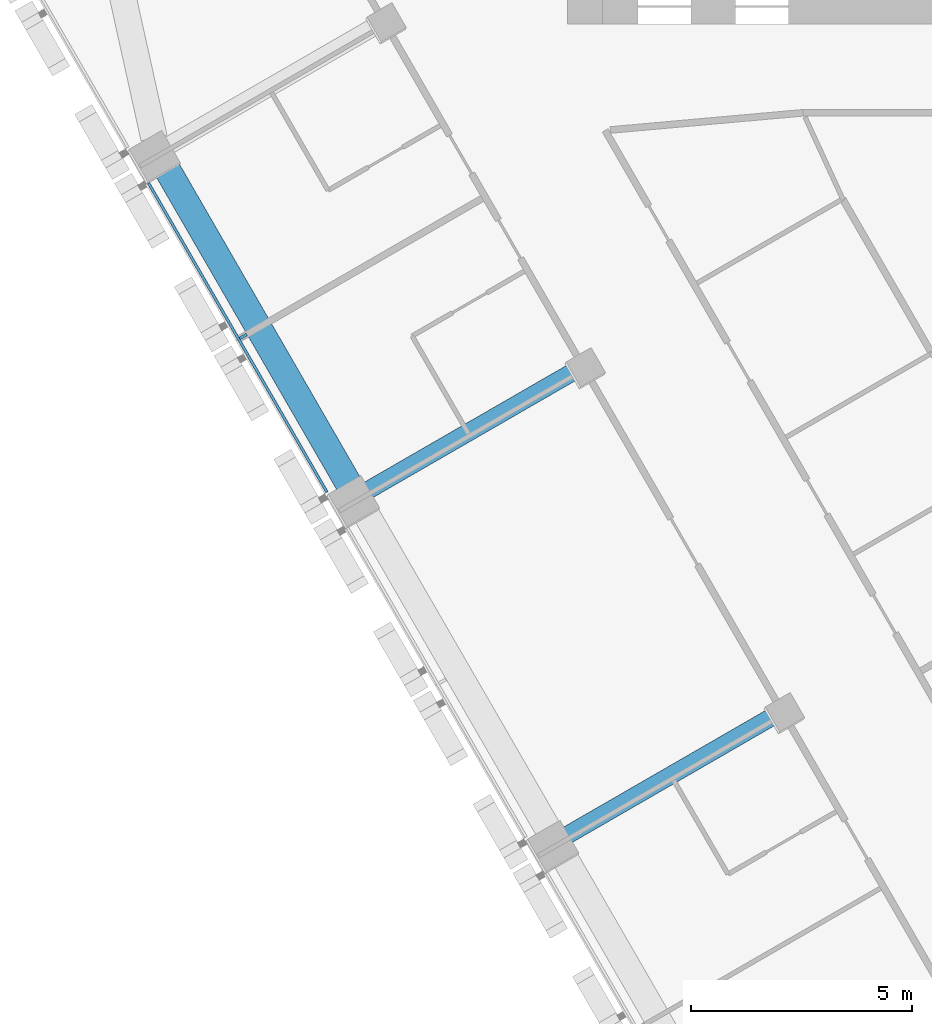
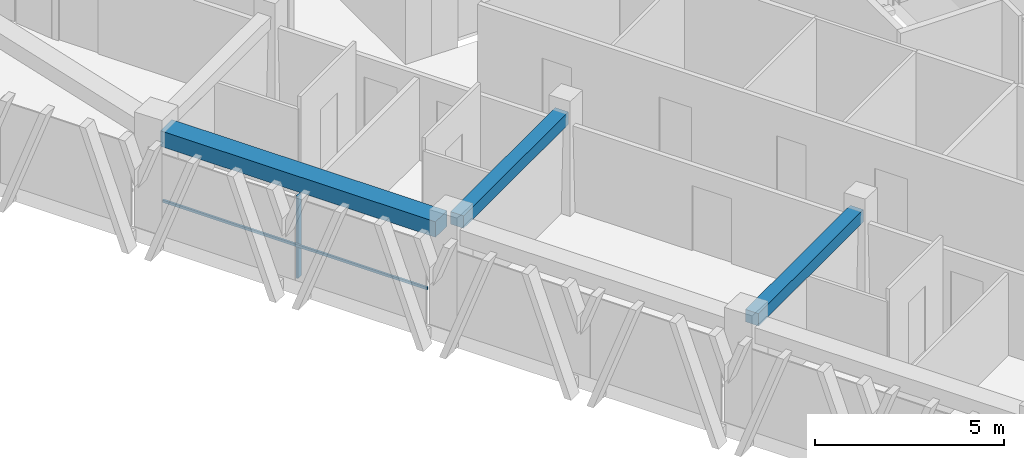
# One storey, part 3 of 16: 3 beams, 2 members, 1 element without a shape of its own.
"""IFC4 building model written with IfcOpenShell, lengths in metres."""

from ifc_helpers import new_model, si_unit, direction, frame, origin, origin_2d, place, context, subcontext, project, spatial, rectangle, extrude, material, layer, layer_set, material_profile, profile_set, type_object, element, aggregate, save


model = new_model("IFC4")

# Units and contexts
model_context = context("Model", 3, precision=1e-05, world=origin(), true_north=direction((0.0, 1.0)))
body_context = subcontext(model_context, "Body", "Model", "MODEL_VIEW")
ifc_project = project(units=[si_unit("LENGTHUNIT", "METRE"), si_unit("AREAUNIT", "SQUARE_METRE"), si_unit("VOLUMEUNIT", "CUBIC_METRE"), si_unit("PLANEANGLEUNIT", "RADIAN"), si_unit("MASSUNIT", "GRAM", prefix="KILO")], contexts=[model_context])

# Site, building, storey
site_placement = place(None, origin())
site = spatial("IfcSite", under=ifc_project, at=site_placement, CompositionType="ELEMENT")
building_placement = place(site_placement, origin())
building = spatial("IfcBuilding", under=site, at=building_placement, Name="Altiplano Prism Tower", CompositionType="ELEMENT")
storey_placement = place(building_placement, frame((0.0, 0.0, 135.0)))
storey = spatial("IfcBuildingStorey", under=building, at=storey_placement, Name="L34", CompositionType="ELEMENT", Elevation=135.0)

# Curtain wall, members
ifc_material_1 = material(Name="Aluminium and glass", Category="aluminium")
ifc_layer = layer(ifc_material_1, 0.280029296875)
ifc_layer_set = layer_set([ifc_layer], Name="Aluminium and glass")
curtain_wall_type = type_object("IfcCurtainWallType", Name="CW1 typical co-living unitised curtain wall", PredefinedType="NOTDEFINED", material=ifc_layer_set)
curtain_wall_placement = place(storey_placement, origin())
curtain_wall = element("IfcCurtainWall", 1, at=curtain_wall_placement, inside=storey, type_object=curtain_wall_type, Name="CW1 curtain wall south-west face L34", PredefinedType="NOTDEFINED")
ifc_material_2 = material(Name="Aluminium", Category="aluminium")
ifc_material_profile_1 = material_profile(ifc_material_2, rectangle(XDim=0.179931640625, YDim=0.06494140625, at=origin_2d()), Name="CW1 mullion 65 x 180")
ifc_profile_set_1 = profile_set([ifc_material_profile_1], Name="Aluminium")
member_type_1 = type_object("IfcMemberType", Name="CW1 mullion 65 x 180", PredefinedType="MULLION", material=ifc_profile_set_1)
member_1_placement = place(storey_placement, frame((64.877685546875, 85.545654296875, 0.0), z_axis=(0.0, 0.0, 1.0), x_axis=(0.866025401489, 0.500000003975, 0.0)))
member_1 = element("IfcMember", 2, at=member_1_placement, type_object=member_type_1, Name="CW1 mullion", PredefinedType="MULLION", context=body_context, shape_type="SweptSolid", body=[
    extrude(rectangle(XDim=0.179931640625, YDim=0.06494140625, at=origin_2d()), origin(), (0.0, 0.0, 1.0), 2.64990234375),
])
ifc_material_profile_2 = material_profile(ifc_material_2, rectangle(XDim=0.06005859375, YDim=0.080078125, at=origin_2d()), Name="CW1 transom 80 x 60")
ifc_profile_set_2 = profile_set([ifc_material_profile_2], Name="Aluminium")
member_type_2 = type_object("IfcMemberType", Name="CW1 transom 80 x 60", PredefinedType="USERDEFINED", material=ifc_profile_set_2)
member_2_placement = place(storey_placement, frame((62.736572265625, 89.01416015625, 1.10009765625), z_axis=(0.499994808408, -0.866028401131, 0.0), x_axis=(0.866028401131, 0.499994808408, 0.0)))
member_2 = element("IfcMember", 3, at=member_2_placement, type_object=member_type_2, Name="CW1 transom", ObjectType="TRANSOM", PredefinedType="USERDEFINED", context=body_context, shape_type="SweptSolid", body=[
    extrude(rectangle(XDim=0.06005859375, YDim=0.080078125, at=origin_2d()), origin(), (0.0, 0.0, 1.0), 8.06982421875),
])
aggregate(curtain_wall, [member_1, member_2])

# Beams
ifc_material_3 = material(Name="Concrete C60/75", Category="concrete")
ifc_material_profile_3 = material_profile(ifc_material_3, rectangle(XDim=0.60009765625, YDim=0.5, at=origin_2d()), Name="Edge beam 600x500")
ifc_profile_set_3 = profile_set([ifc_material_profile_3], Name="Concrete C60/75")
beam_type_1 = type_object("IfcBeamType", Name="Edge beam 600x500", PredefinedType="SPANDREL", material=ifc_profile_set_3)
beam_placement = place(storey_placement, frame((63.08544921875, 89.447021484375, 2.89990234375), z_axis=(0.499988621418, -0.866031973112, 0.0), x_axis=(0.866031973112, 0.499988621418, 0.0)))
element("IfcBeam", 4, at=beam_placement, inside=storey, type_object=beam_type_1, Name="Edge beam P11-P12 L35", PredefinedType="SPANDREL", context=body_context, shape_type="SweptSolid", body=[
    extrude(rectangle(XDim=0.60009765625, YDim=0.5, at=origin_2d()), origin(), (0.0, 0.0, 1.0), 8.389892578125),
])
ifc_material_profile_4 = material_profile(ifc_material_3, rectangle(XDim=0.39990234375, YDim=0.39990234375, at=origin_2d()), Name="Tie beam 400x400")
ifc_profile_set_4 = profile_set([ifc_material_profile_4], Name="Concrete C60/75")
beam_type_2 = type_object("IfcBeamType", Name="Tie beam 400x400", PredefinedType="BEAM", material=ifc_profile_set_4)
for number, where, z_axis, x_axis, name in (
    (5, (72.494873046875, 84.839599609375, 2.949951171875), (-0.866027073272, -0.499997108352, 0.0), (0.499997108352, -0.866027073272, 0.0), "Tie beam I12 L35"),
    (6, (76.994873046875, 77.04541015625, 2.949951171875), (-0.866027073272, -0.499997108352, 0.0), (0.499997108352, -0.866027073272, 0.0), "Tie beam I13 L35"),
):
    element("IfcBeam", number, at=place(storey_placement, frame(where, z_axis=z_axis, x_axis=x_axis)), inside=storey, type_object=beam_type_2, Name=name, PredefinedType="BEAM", context=body_context, shape_type="SweptSolid", body=[
        extrude(rectangle(XDim=0.39990234375, YDim=0.39990234375, at=origin_2d()), origin(), (0.0, 0.0, 1.0), 5.5400390625),
    ])

save(model, "model.ifc")
